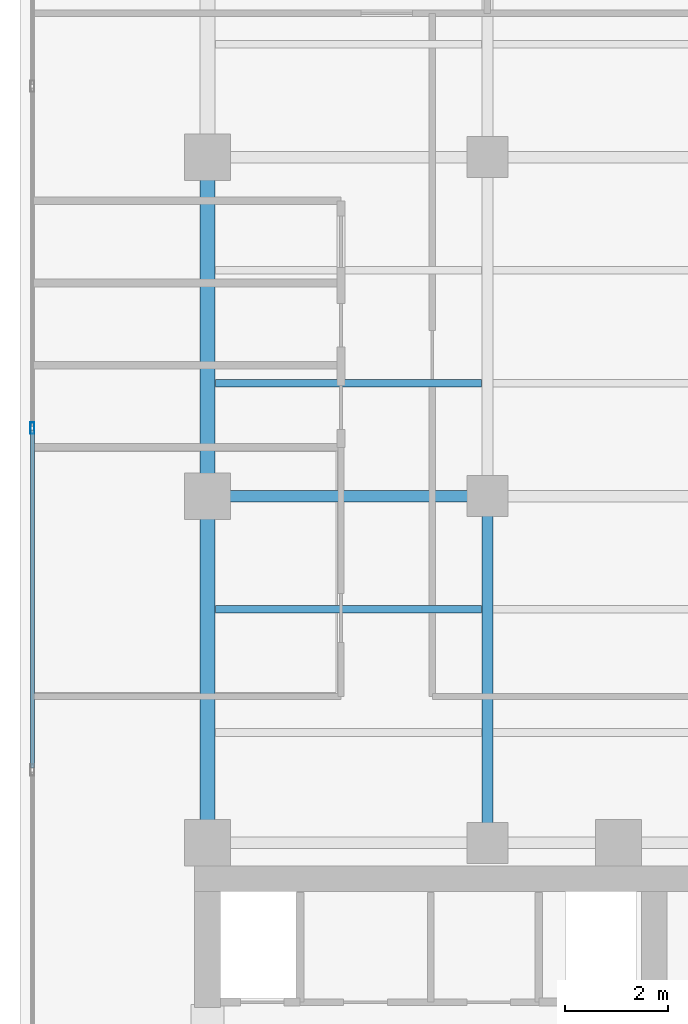
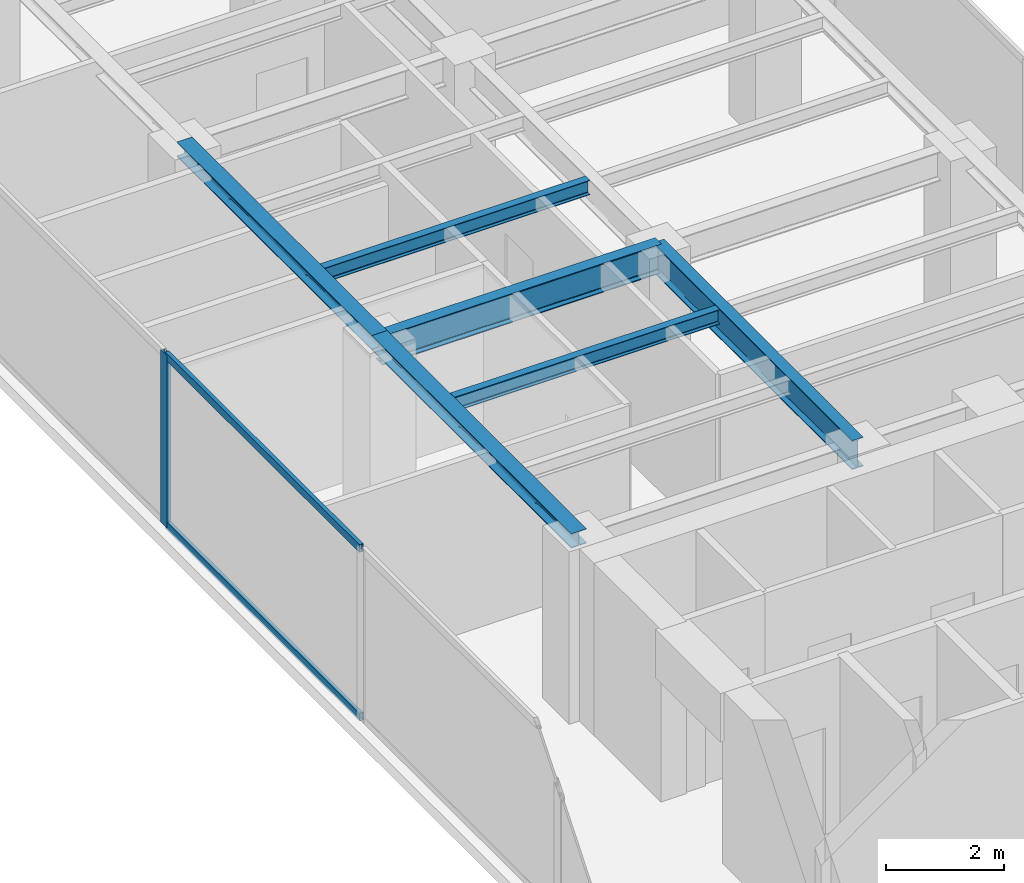
# One storey, part 8 of 24: 6 beams, 3 members, 1 element without a shape of its own.
"""IFC4 building model written with IfcOpenShell, lengths in metres."""

import ifcopenshell
import ifcopenshell.guid

model = None  # the IFC model being written
_history = None  # IfcOwnerHistory: only IFC2X3 demands one
_inside = {}  # id of a spatial element -> (the spatial element, [elements in it])
_under = {}  # id of a project, library or spatial element -> (it, [spatial elements below it])
_declared = {}  # id of a project -> (the project, [libraries it declares])
_typed = {}  # id of a type object -> (the type object, [elements of that type])
_made_of = {}  # id of a material, layer set ... -> (it, [elements and type objects made of it])


def new_model(schema):
    """Start an empty IFC model of exactly this schema.

    Asked for "IFC4X3", IfcOpenShell would pick the latest addendum, in which some entities
    have other attributes; the version numbers below select the first issue.
    IFC2X3 requires an IfcOwnerHistory on every rooted entity: one is made here for all.
    """
    global model, _history
    if schema == "IFC4X3":
        model = ifcopenshell.file(schema_version=(4, 3, 0, 0))
    else:
        model = ifcopenshell.file(schema=schema)
    _inside.clear()
    _under.clear()
    _declared.clear()
    _typed.clear()
    _made_of.clear()
    _history = None
    if model.schema == "IFC2X3":
        org = make("IfcOrganization", Name="unknown")
        user = make(
            "IfcPersonAndOrganization",
            ThePerson=make("IfcPerson", FamilyName="unknown"),
            TheOrganization=org,
        )
        app = make(
            "IfcApplication",
            ApplicationDeveloper=org,
            Version="unknown",
            ApplicationFullName="unknown",
            ApplicationIdentifier="unknown",
        )
        _history = make(
            "IfcOwnerHistory",
            OwningUser=user,
            OwningApplication=app,
            ChangeAction="ADDED",
            CreationDate=0,
        )
    return model


def make(cls, **values):
    """One entity of the class cls with the attributes given. An attribute that is None is left unset."""
    return model.create_entity(
        cls, **{name: value for name, value in values.items() if value is not None}
    )


def rooted(cls, **values):
    """An entity with a GlobalId (a new one), such as an element, a storey or a relation."""
    return make(cls, GlobalId=ifcopenshell.guid.new(), OwnerHistory=_history, **values)


def si_unit(unit_type, name, prefix=None):
    """IfcSIUnit, for example si_unit("LENGTHUNIT", "METRE", prefix="MILLI")."""
    return make("IfcSIUnit", UnitType=unit_type, Prefix=prefix, Name=name)


def assignment(units):
    """IfcUnitAssignment: the units of a project."""
    return None if units is None else make("IfcUnitAssignment", Units=units)


def point(xyz):
    """IfcCartesianPoint."""
    return None if xyz is None else make("IfcCartesianPoint", Coordinates=xyz)


def direction(xyz):
    """IfcDirection."""
    return None if xyz is None else make("IfcDirection", DirectionRatios=xyz)


def frame(location, z_axis=None, x_axis=None):
    """IfcAxis2Placement3D, a coordinate frame: its origin and axes. An axis left out is left unset."""
    return make(
        "IfcAxis2Placement3D",
        Location=point(location),
        Axis=direction(z_axis),
        RefDirection=direction(x_axis),
    )


def frame_2d(location, x_axis=None):
    """IfcAxis2Placement2D, a coordinate frame in the plane: its origin and x axis."""
    return make(
        "IfcAxis2Placement2D", Location=point(location), RefDirection=direction(x_axis)
    )


def origin():
    """The frame at (0, 0, 0) with its axes left unset."""
    return frame((0.0, 0.0, 0.0))


def origin_with_axes():
    """The frame at (0, 0, 0) with the z axis (0, 0, 1) and the x axis (1, 0, 0) written out."""
    return frame((0.0, 0.0, 0.0), z_axis=(0.0, 0.0, 1.0), x_axis=(1.0, 0.0, 0.0))


def origin_2d():
    """The frame at (0, 0) in the plane with its x axis left unset."""
    return frame_2d((0.0, 0.0))


def place(relative_to, where):
    """IfcLocalPlacement: puts the frame where relative to a parent placement (None: the world)."""
    return make(
        "IfcLocalPlacement", PlacementRelTo=relative_to, RelativePlacement=where
    )


def context(
    kind, dimensions, precision=None, world=None, true_north=None, identifier=None
):
    """IfcGeometricRepresentationContext, for example the 3D "Model" context."""
    return make(
        "IfcGeometricRepresentationContext",
        ContextIdentifier=identifier,
        ContextType=kind,
        CoordinateSpaceDimension=dimensions,
        Precision=precision,
        WorldCoordinateSystem=world,
        TrueNorth=true_north,
    )


def subcontext(parent, identifier, kind, view, scale=None):
    """IfcGeometricRepresentationSubContext, for example "Body" below "Model"."""
    return make(
        "IfcGeometricRepresentationSubContext",
        ContextIdentifier=identifier,
        ContextType=kind,
        ParentContext=parent,
        TargetScale=scale,
        TargetView=view,
    )


def project(units=None, contexts=None):
    """IfcProject with its units and contexts."""
    return rooted(
        "IfcProject",
        Name="project",
        RepresentationContexts=contexts,
        UnitsInContext=assignment(units),
    )


def spatial(cls, under=None, at=None, **own):
    """A site, building, storey or space (cls), placed at a placement, below another one or the project."""
    s = rooted(cls, ObjectPlacement=at, **own)
    if under is not None:
        _under.setdefault(under.id(), (under, []))[1].append(s)
    return s


def profile(cls, at=None, kind="AREA", **sizes):
    """A parametric profile (cls). Its sizes go by their IFC names, for example OverallWidth=200.0."""
    return make(cls, ProfileType=kind, Position=at, **sizes)


def hollow_rectangle(**sizes):
    """IfcRectangleHollowProfileDef."""
    return profile("IfcRectangleHollowProfileDef", **sizes)


def i_section(**sizes):
    """IfcIShapeProfileDef."""
    return profile("IfcIShapeProfileDef", **sizes)


def extrude(swept, where, along, depth):
    """IfcExtrudedAreaSolid: the profile swept, set in the frame where, extruded along a direction by depth."""
    return make(
        "IfcExtrudedAreaSolid",
        SweptArea=swept,
        Position=where,
        ExtrudedDirection=direction(along),
        Depth=depth,
    )


def shape(context_of_items, identifier, shape_type, items):
    """IfcShapeRepresentation: the items that make up one representation, for example the "Body"."""
    return make(
        "IfcShapeRepresentation",
        ContextOfItems=context_of_items,
        RepresentationIdentifier=identifier,
        RepresentationType=shape_type,
        Items=items,
    )


def source(mapping_origin, context_of_items, identifier, shape_type, items):
    """IfcRepresentationMap: a shape defined once, which mapped items show again and again."""
    return make(
        "IfcRepresentationMap",
        MappingOrigin=mapping_origin,
        MappedRepresentation=shape(context_of_items, identifier, shape_type, items),
    )


def transform(
    local_origin,
    x_axis=None,
    y_axis=None,
    z_axis=None,
    scale=None,
    scale2=None,
    scale3=None,
    uniform=True,
):
    """IfcCartesianTransformationOperator3D, or its non-uniform kind. x_axis, y_axis, z_axis: its Axis1, 2, 3."""
    if uniform:
        return make(
            "IfcCartesianTransformationOperator3D",
            Axis1=direction(x_axis),
            Axis2=direction(y_axis),
            LocalOrigin=point(local_origin),
            Scale=scale,
            Axis3=direction(z_axis),
        )
    return make(
        "IfcCartesianTransformationOperator3DnonUniform",
        Axis1=direction(x_axis),
        Axis2=direction(y_axis),
        LocalOrigin=point(local_origin),
        Scale=scale,
        Axis3=direction(z_axis),
        Scale2=scale2,
        Scale3=scale3,
    )


def mapped(mapping_source, mapping_target):
    """IfcMappedItem: shows the shape of a source again, moved by a transform."""
    return make(
        "IfcMappedItem", MappingSource=mapping_source, MappingTarget=mapping_target
    )


def material(Name=None, Category=None):
    """IfcMaterial."""
    return make("IfcMaterial", Name=Name, Category=Category)


def layer(
    of_material, thickness, ventilated=None, Name=None, Category=None, Priority=None
):
    """IfcMaterialLayer: one layer of a wall or slab, of a material (None: an air gap)."""
    return make(
        "IfcMaterialLayer",
        Material=of_material,
        LayerThickness=thickness,
        IsVentilated=ventilated,
        Name=Name,
        Category=Category,
        Priority=Priority,
    )


def layer_set(layers, Name=None):
    """IfcMaterialLayerSet."""
    return make("IfcMaterialLayerSet", MaterialLayers=layers, LayerSetName=Name)


def material_profile(
    of_material, cross_section, Name=None, Category=None, Priority=None
):
    """IfcMaterialProfile: a cross section and its material."""
    return make(
        "IfcMaterialProfile",
        Name=Name,
        Material=of_material,
        Profile=cross_section,
        Priority=Priority,
        Category=Category,
    )


def profile_set(profiles, Name=None, composite=None):
    """IfcMaterialProfileSet."""
    return make(
        "IfcMaterialProfileSet",
        Name=Name,
        MaterialProfiles=profiles,
        CompositeProfile=composite,
    )


def made_of(thing, what):
    """Note that an element or type object is made of a material, layer set ...; save() writes the relation."""
    if what is not None:
        _made_of.setdefault(what.id(), (what, []))[1].append(thing)
    return thing


def type_object(cls, material=None, **own):
    """A type object (cls), such as IfcWallType, which elements share."""
    return made_of(rooted(cls, **own), material)


def element(
    cls,
    number,
    at=None,
    inside=None,
    cuts=None,
    type_object=None,
    material=None,
    context=None,
    identifier="Body",
    shape_type=None,
    held_by="IfcProductDefinitionShape",
    body=None,
    shapes=None,
    **own,
):
    """One element of the class cls, such as IfcWall. Its Tag is "e" and its number.

    at: its placement. inside: the storey or other place that contains it. cuts: it is an
    opening in that element (IfcRelVoidsElement). A single representation is given by context,
    identifier, shape_type and body (its items); several are given by shapes. held_by: the class
    of the entity that holds the representations. save() writes the other relations.
    """
    e = rooted(cls, Tag="e%d" % number, ObjectPlacement=at, **own)
    if body is not None:
        shapes = [shape(context, identifier, shape_type, body)]
    if shapes is not None:
        e.Representation = make(held_by, Representations=shapes)
    if inside is not None:
        _inside.setdefault(inside.id(), (inside, []))[1].append(e)
    if cuts is not None:
        rooted(
            "IfcRelVoidsElement", RelatingBuildingElement=cuts, RelatedOpeningElement=e
        )
    if type_object is not None:
        _typed.setdefault(type_object.id(), (type_object, []))[1].append(e)
    return made_of(e, material)


def aggregate(whole, parts):
    """IfcRelAggregates: a whole, such as a stair, and the parts it consists of."""
    return rooted("IfcRelAggregates", RelatingObject=whole, RelatedObjects=parts)


def save(model, path):
    """Write the relations noted so far, then the file.

    IfcRelAggregates (storeys below a building ...), IfcRelContainedInSpatialStructure (elements
    in a storey), IfcRelDefinesByType, IfcRelAssociatesMaterial and IfcRelDeclares: one each for
    every whole, place, type object, material and project.
    """
    for whole, parts in _under.values():
        aggregate(whole, parts)
    for where, things in _inside.values():
        rooted(
            "IfcRelContainedInSpatialStructure",
            RelatedElements=things,
            RelatingStructure=where,
        )
    for kind, things in _typed.values():
        rooted("IfcRelDefinesByType", RelatedObjects=things, RelatingType=kind)
    for what, things in _made_of.values():
        rooted("IfcRelAssociatesMaterial", RelatedObjects=things, RelatingMaterial=what)
    for by, libraries in _declared.values():
        rooted("IfcRelDeclares", RelatingContext=by, RelatedDefinitions=libraries)
    model.write(path)


model = new_model("IFC4")

# Units and contexts
model_context = context("Model", 3, precision=1e-05, world=origin(), true_north=direction((0.0, 1.0)))
body_context = subcontext(model_context, "Body", "Model", "MODEL_VIEW")
ifc_project = project(units=[si_unit("LENGTHUNIT", "METRE"), si_unit("AREAUNIT", "SQUARE_METRE"), si_unit("VOLUMEUNIT", "CUBIC_METRE"), si_unit("PLANEANGLEUNIT", "RADIAN"), si_unit("MASSUNIT", "GRAM", prefix="KILO")], contexts=[model_context])

# Site, building, storey
site_placement = place(None, origin())
site = spatial("IfcSite", under=ifc_project, at=site_placement, CompositionType="ELEMENT")
building_placement = place(site_placement, origin())
building = spatial("IfcBuilding", under=site, at=building_placement, Name="Kolvaren Waterfront Exchange", CompositionType="ELEMENT")
storey_placement = place(building_placement, frame((0.0, 0.0, 331.199951171875)))
storey = spatial("IfcBuildingStorey", under=building, at=storey_placement, Name="L85", CompositionType="ELEMENT", Elevation=331.199951171875)

# Beams
ifc_material_1 = material(Name="Steel S355", Category="steel")
ifc_material_profile_1 = material_profile(ifc_material_1, i_section(OverallWidth=0.300048828125, OverallDepth=0.300048828125, WebThickness=0.010986328125, FlangeThickness=0.01904296875, FilletRadius=0.027099609375, at=origin_2d()), Name="HEB300")
ifc_profile_set_1 = profile_set([ifc_material_profile_1], Name="Steel S355")
beam_type_1 = type_object("IfcBeamType", Name="STR-BM-HEB300", PredefinedType="SPANDREL", material=ifc_profile_set_1)
beam_1_placement = place(storey_placement, frame((7.449951171875, 24.449951171875, 3.41015625), z_axis=(0.0, 1.0, 0.0), x_axis=(-1.0, 0.0, 0.0)))
element("IfcBeam", 1, at=beam_1_placement, inside=storey, type_object=beam_type_1, Name="L85 north-arm edge beam 1", PredefinedType="SPANDREL", context=body_context, shape_type="SweptSolid", body=[
    extrude(i_section(OverallWidth=0.300048828125, OverallDepth=0.300048828125, WebThickness=0.010986328125, FlangeThickness=0.01904296875, FilletRadius=0.027099609375, at=origin_2d()), origin(), (0.0, 0.0, 1.0), 6.75),
])
beam_2_placement = place(storey_placement, frame((7.449951171875, 31.199951171875, 3.41015625), z_axis=(0.0, 1.0, 0.0), x_axis=(-1.0, 0.0, 0.0)))
element("IfcBeam", 2, at=beam_2_placement, inside=storey, type_object=beam_type_1, Name="L85 north-arm edge beam 2", PredefinedType="SPANDREL", context=body_context, shape_type="SweptSolid", body=[
    extrude(i_section(OverallWidth=0.300048828125, OverallDepth=0.300048828125, WebThickness=0.010986328125, FlangeThickness=0.01904296875, FilletRadius=0.027099609375, at=origin_2d()), origin(), (0.0, 0.0, 1.0), 6.60009765625),
])
ifc_material_profile_2 = material_profile(ifc_material_1, i_section(OverallWidth=0.14990234375, OverallDepth=0.300048828125, WebThickness=0.007080078125, FlangeThickness=0.0107421875, FilletRadius=0.014892578125, at=origin_2d()), Name="IPE300")
ifc_profile_set_2 = profile_set([ifc_material_profile_2], Name="Steel S355")
beam_type_2 = type_object("IfcBeamType", Name="STR-BM-IPE300", PredefinedType="JOIST", material=ifc_profile_set_2)
for number, where, z_axis, x_axis, name in (
    (3, (7.60205078125, 29.0, 3.41015625), (1.0, 0.0, 0.0), (0.0, 1.0, 0.0), "L85 north-arm composite joist 2A"),
    (4, (7.60205078125, 33.39990234375, 3.41015625), (1.0, 0.0, 0.0), (0.0, 1.0, 0.0), "L85 north-arm composite joist 3A"),
):
    element("IfcBeam", number, at=place(storey_placement, frame(where, z_axis=z_axis, x_axis=x_axis)), inside=storey, type_object=beam_type_2, Name=name, PredefinedType="JOIST", context=body_context, shape_type="SweptSolid", body=[
        extrude(i_section(OverallWidth=0.14990234375, OverallDepth=0.300048828125, WebThickness=0.007080078125, FlangeThickness=0.0107421875, FilletRadius=0.014892578125, at=origin_2d()), origin(), (0.0, 0.0, 1.0), 5.18603515625),
    ])
ifc_material_profile_3 = material_profile(ifc_material_1, i_section(OverallWidth=0.219970703125, OverallDepth=0.60009765625, WebThickness=0.011962890625, FlangeThickness=0.01904296875, FilletRadius=0.02392578125, at=origin_2d()), Name="IPE600")
ifc_profile_set_3 = profile_set([ifc_material_profile_3], Name="Steel S355")
beam_type_3 = type_object("IfcBeamType", Name="STR-BM-IPE600", PredefinedType="BEAM", material=ifc_profile_set_3)
beam_3_placement = place(storey_placement, frame((7.449951171875, 31.199951171875, 3.260009765625), z_axis=(1.0, 0.0, 0.0), x_axis=(0.0, 1.0, 0.0)))
element("IfcBeam", 5, at=beam_3_placement, inside=storey, type_object=beam_type_3, Name="L85 north-arm girder 2A", PredefinedType="BEAM", context=body_context, shape_type="SweptSolid", body=[
    extrude(i_section(OverallWidth=0.219970703125, OverallDepth=0.60009765625, WebThickness=0.011962890625, FlangeThickness=0.01904296875, FilletRadius=0.02392578125, at=origin_2d()), origin(), (0.0, 0.0, 1.0), 5.449951171875),
])
beam_4_placement = place(storey_placement, frame((12.89990234375, 24.449951171875, 3.260009765625), z_axis=(0.0, 1.0, 0.0), x_axis=(-1.0, 0.0, 0.0)))
element("IfcBeam", 6, at=beam_4_placement, inside=storey, type_object=beam_type_3, Name="L85 north-arm edge beam 1", PredefinedType="BEAM", context=body_context, shape_type="SweptSolid", body=[
    extrude(i_section(OverallWidth=0.219970703125, OverallDepth=0.60009765625, WebThickness=0.011962890625, FlangeThickness=0.01904296875, FilletRadius=0.02392578125, at=origin_2d()), origin(), (0.0, 0.0, 1.0), 6.75),
])

# Curtain wall, members
ifc_material_2 = material(Name="Anodised aluminium 6063-T6", Category="aluminium")
ifc_layer = layer(ifc_material_2, 0.219970703125, Name="Anodised aluminium 6063-T6")
ifc_layer_set = layer_set([ifc_layer], Name="Anodised aluminium 6063-T6")
curtain_wall_type = type_object("IfcCurtainWallType", Name="ARC-CW-SYS2", PredefinedType="USERDEFINED", material=ifc_layer_set)
curtain_wall_placement = place(storey_placement, origin())
curtain_wall = element("IfcCurtainWall", 7, at=curtain_wall_placement, inside=storey, type_object=curtain_wall_type, Name="L85 stick curtain wall CW2 (CW-L85-W)", ObjectType="STICK CURTAIN WALL", PredefinedType="USERDEFINED")
ifc_material_profile_4 = material_profile(ifc_material_2, hollow_rectangle(XDim=0.080078125, YDim=0.219970703125, WallThickness=0.0048828125, at=origin_2d()), Name="ALU-MUL-220x80x5")
ifc_profile_set_4 = profile_set([ifc_material_profile_4], Name="Anodised aluminium 6063-T6")
member_type_1 = type_object("IfcMemberType", Name="ARC-CWM-220", PredefinedType="MULLION", material=ifc_profile_set_4)
shared_shape_1 = source(origin_with_axes(), body_context, "Body", "SweptSolid", [
    extrude(hollow_rectangle(XDim=0.080078125, YDim=0.219970703125, WallThickness=0.0048828125, at=origin_2d()), origin(), (0.0, 0.0, 1.0), 3.56005859375),
])
member_1_placement = place(storey_placement, frame((4.0400390625, 32.5244140625, 0.0), z_axis=(0.0, 0.0, 1.0), x_axis=(-1.0, 0.0, 0.0)))
member_1 = element("IfcMember", 8, at=member_1_placement, type_object=member_type_1, Name="CW2 mullion 5", PredefinedType="MULLION", context=body_context, shape_type="MappedRepresentation", body=[
    mapped(shared_shape_1, transform((0.0, 0.0, 0.0), x_axis=(1.0, 0.0, 0.0), y_axis=(0.0, 1.0, 0.0), z_axis=(0.0, 0.0, 1.0), scale=1.0)),
])
ifc_material_profile_5 = material_profile(ifc_material_2, hollow_rectangle(XDim=0.074951171875, YDim=0.159912109375, WallThickness=0.00439453125, at=origin_2d()), Name="ALU-TRN-160x75x4.5")
ifc_profile_set_5 = profile_set([ifc_material_profile_5], Name="Anodised aluminium 6063-T6")
member_type_2 = type_object("IfcMemberType", Name="ARC-CWT-160", PredefinedType="USERDEFINED", material=ifc_profile_set_5)
shared_shape_2 = source(origin_with_axes(), body_context, "Body", "SweptSolid", [
    extrude(hollow_rectangle(XDim=0.074951171875, YDim=0.159912109375, WallThickness=0.00439453125, at=origin_2d()), origin(), (0.0, 0.0, 1.0), 6.576171875),
])
member_2_placement = place(storey_placement, frame((4.0400390625, 25.908447265625, 0.03759765625), z_axis=(0.0, 1.0, 0.0), x_axis=(-1.0, 0.0, 0.0)))
member_2 = element("IfcMember", 9, at=member_2_placement, type_object=member_type_2, Name="CW2 transom 4.1", ObjectType="TRANSOM", PredefinedType="USERDEFINED", context=body_context, shape_type="MappedRepresentation", body=[
    mapped(shared_shape_2, transform((0.0, 0.0, 0.0), x_axis=(1.0, 0.0, 0.0), y_axis=(0.0, 1.0, 0.0), z_axis=(0.0, 0.0, 1.0), scale=1.0)),
])
member_3_placement = place(storey_placement, frame((4.0400390625, 25.908447265625, 3.5224609375), z_axis=(0.0, 1.0, 0.0), x_axis=(-1.0, 0.0, 0.0)))
member_3 = element("IfcMember", 10, at=member_3_placement, type_object=member_type_2, Name="CW2 transom 4.2", ObjectType="TRANSOM", PredefinedType="USERDEFINED", context=body_context, shape_type="MappedRepresentation", body=[
    mapped(shared_shape_2, transform((0.0, 0.0, 0.0), x_axis=(1.0, 0.0, 0.0), y_axis=(0.0, 1.0, 0.0), z_axis=(0.0, 0.0, 1.0), scale=1.0)),
])
aggregate(curtain_wall, [member_1, member_2, member_3])

save(model, "model.ifc")
